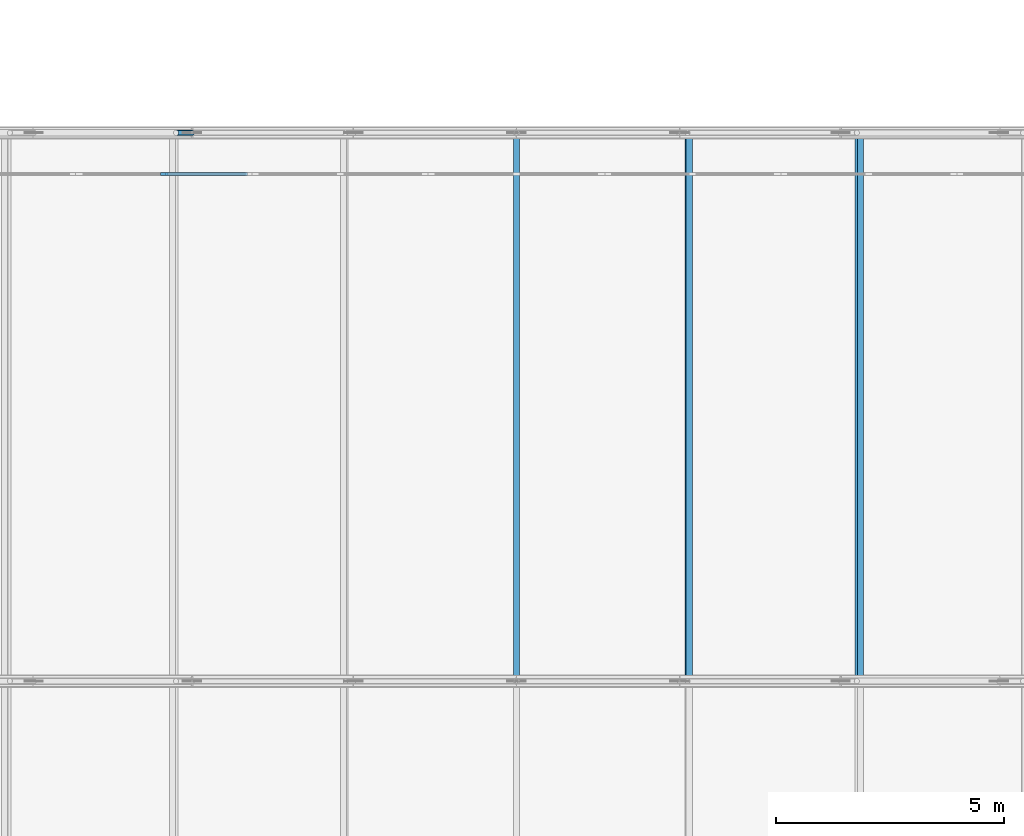
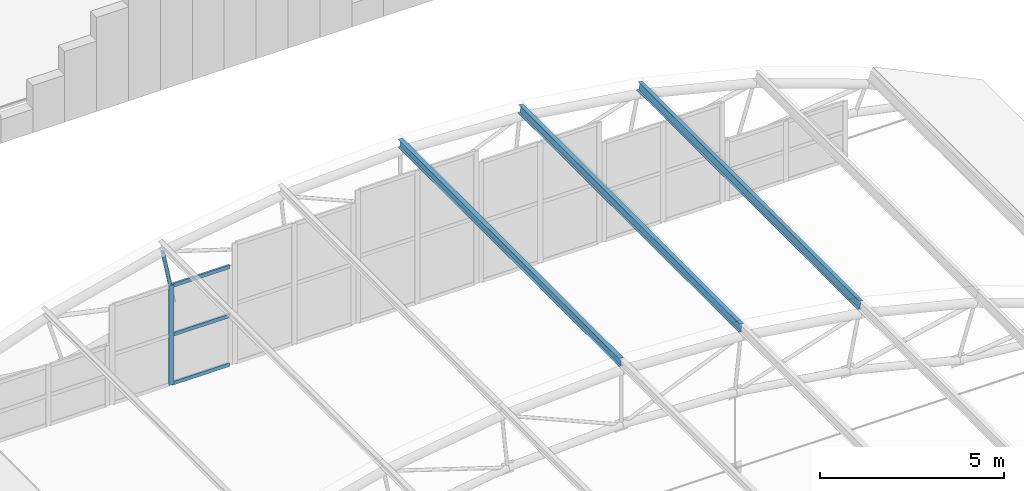
# One storey, part 222 of 321: 8 members, 1 element without a shape of its own.
"""IFC4 building model written with IfcOpenShell, lengths in metres."""

from ifc_helpers import new_model, si_unit, direction, frame, origin, origin_2d, place, context, subcontext, project, spatial, rectangle, hollow_circle, i_section, extrude, material, layer, layer_set, material_profile, profile_set, type_object, element, aggregate, save


model = new_model("IFC4")

# Units and contexts
model_context = context("Model", 3, precision=1e-05, world=origin(), true_north=direction((0.0, 1.0)))
body_context = subcontext(model_context, "Body", "Model", "MODEL_VIEW")
ifc_project = project(units=[si_unit("LENGTHUNIT", "METRE"), si_unit("AREAUNIT", "SQUARE_METRE"), si_unit("VOLUMEUNIT", "CUBIC_METRE"), si_unit("PLANEANGLEUNIT", "RADIAN"), si_unit("MASSUNIT", "GRAM", prefix="KILO")], contexts=[model_context])

# Site, building, storey
site_placement = place(None, origin())
site = spatial("IfcSite", under=ifc_project, at=site_placement, CompositionType="ELEMENT")
building_placement = place(site_placement, origin())
building = spatial("IfcBuilding", under=site, at=building_placement, Name="Ravi Spectrum Wholesale Market", CompositionType="ELEMENT")
storey_placement = place(building_placement, frame((0.0, 0.0, 10.800048828125)))
storey = spatial("IfcBuildingStorey", under=building, at=storey_placement, Name="L02", CompositionType="ELEMENT", Elevation=10.800048828125)

# Members
ifc_material_1 = material(Name="Steel S355", Category="steel")
ifc_material_profile_1 = material_profile(ifc_material_1, hollow_circle(Radius=0.05712890625, WallThickness=0.00390625, at=origin_2d()))
ifc_profile_set_1 = profile_set([ifc_material_profile_1], Name="Steel S355")
member_type_1 = type_object("IfcMemberType", Name="CHS 114.3x4 post", PredefinedType="POST", material=ifc_profile_set_1)
member_1_placement = place(storey_placement, frame((172.551513671875, 186.0, 3.767822265625), z_axis=(0.194759682352, 0.0, -0.980850990788), x_axis=(0.0, 1.0, 0.0)))
element("IfcMember", 1, at=member_1_placement, inside=storey, type_object=member_type_1, Name="H3-MB-L02-183", PredefinedType="POST", context=body_context, shape_type="SweptSolid", body=[
    extrude(hollow_circle(Radius=0.05712890625, WallThickness=0.00390625, at=origin_2d()), origin(), (0.0, 0.0, 1.0), 1.800048828125),
])
ifc_material_2 = material(Name="Steel S355", Category="steel")
ifc_material_profile_2 = material_profile(ifc_material_2, i_section(OverallWidth=0.135009765625, OverallDepth=0.27001953125, WebThickness=0.006591796875, FlangeThickness=0.01025390625, at=origin_2d()))
ifc_profile_set_2 = profile_set([ifc_material_profile_2], Name="Steel S355")
member_type_2 = type_object("IfcMemberType", Name="IPE 270 purlin", PredefinedType="PURLIN", material=ifc_profile_set_2)
for number, where, z_axis, x_axis, name in (
    (2, (180.0, 174.0, 4.771484375), (0.0, 1.0, 0.0), (-1.0, 0.0, 0.0), "H3-MB-L02-239"),
    (3, (183.768798828125, 174.0, 4.586669921875), (0.0, 1.0, 0.0), (-0.995202677663, 0.0, 0.097834709449), "H3-MB-L02-240"),
    (4, (187.501220703125, 174.0, 4.033935546875), (0.0, 1.0, 0.0), (-0.980856735855, 0.0, 0.194730746744), "H3-MB-L02-241"),
):
    element("IfcMember", number, at=place(storey_placement, frame(where, z_axis=z_axis, x_axis=x_axis)), inside=storey, type_object=member_type_2, Name=name, PredefinedType="PURLIN", context=body_context, shape_type="SweptSolid", body=[
        extrude(i_section(OverallWidth=0.135009765625, OverallDepth=0.27001953125, WebThickness=0.006591796875, FlangeThickness=0.01025390625, at=origin_2d()), origin(), (0.0, 0.0, 1.0), 12.0),
    ])

# Curtain wall, members
ifc_material_3 = material(Name="Aluminium 6063-T6", Category="aluminium")
ifc_layer = layer(ifc_material_3, 0.14990234375)
ifc_layer_set = layer_set([ifc_layer], Name="Aluminium 6063-T6")
curtain_wall_type = type_object("IfcCurtainWallType", Name="Curtain wall 150", PredefinedType="NOTDEFINED", material=ifc_layer_set)
curtain_wall_placement = place(storey_placement, origin())
curtain_wall = element("IfcCurtainWall", 5, at=curtain_wall_placement, inside=storey, type_object=curtain_wall_type, Name="H3-CW-L02-009", PredefinedType="NOTDEFINED")
ifc_material_4 = material(Name="Aluminium 6063-T6", Category="aluminium")
ifc_material_profile_3 = material_profile(ifc_material_4, rectangle(XDim=0.06005859375, YDim=0.159912109375, at=origin_2d()))
ifc_profile_set_3 = profile_set([ifc_material_profile_3], Name="Aluminium 6063-T6")
member_type_3 = type_object("IfcMemberType", Name="Mullion 60 x 160", PredefinedType="MULLION", material=ifc_profile_set_3)
member_2_placement = place(storey_placement, frame((172.292236328125, 185.10009765625, 0.0), z_axis=(0.0, 0.0, 1.0), x_axis=(0.0, 1.0, 0.0)))
member_2 = element("IfcMember", 6, at=member_2_placement, type_object=member_type_3, Name="H3-CW-L02-009 mullion 2", PredefinedType="MULLION", context=body_context, shape_type="SweptSolid", body=[
    extrude(rectangle(XDim=0.06005859375, YDim=0.159912109375, at=origin_2d()), origin(), (0.0, 0.0, 1.0), 3.300048828125),
])
ifc_material_5 = material(Name="Aluminium 6063-T6", Category="aluminium")
ifc_material_profile_4 = material_profile(ifc_material_5, rectangle(XDim=0.06005859375, YDim=0.1201171875, at=origin_2d()))
ifc_profile_set_4 = profile_set([ifc_material_profile_4], Name="Aluminium 6063-T6")
member_type_4 = type_object("IfcMemberType", Name="Transom 60 x 120", PredefinedType="USERDEFINED", material=ifc_profile_set_4)
member_3_placement = place(storey_placement, frame((172.322265625, 185.10009765625, 0.030029296875), z_axis=(1.0, 0.0, 0.0), x_axis=(0.0, 1.0, 0.0)))
member_3 = element("IfcMember", 7, at=member_3_placement, type_object=member_type_4, Name="H3-CW-L02-009 transom 2.1", ObjectType="TRANSOM", PredefinedType="USERDEFINED", context=body_context, shape_type="SweptSolid", body=[
    extrude(rectangle(XDim=0.06005859375, YDim=0.1201171875, at=origin_2d()), origin(), (0.0, 0.0, 1.0), 1.797119140625),
])
member_4_placement = place(storey_placement, frame((172.322265625, 185.10009765625, 1.64990234375), z_axis=(1.0, 0.0, 0.0), x_axis=(0.0, 1.0, 0.0)))
member_4 = element("IfcMember", 8, at=member_4_placement, type_object=member_type_4, Name="H3-CW-L02-009 transom 2.2", ObjectType="TRANSOM", PredefinedType="USERDEFINED", context=body_context, shape_type="SweptSolid", body=[
    extrude(rectangle(XDim=0.06005859375, YDim=0.1201171875, at=origin_2d()), origin(), (0.0, 0.0, 1.0), 1.797119140625),
])
member_5_placement = place(storey_placement, frame((172.322265625, 185.10009765625, 3.27001953125), z_axis=(1.0, 0.0, 0.0), x_axis=(0.0, 1.0, 0.0)))
member_5 = element("IfcMember", 9, at=member_5_placement, type_object=member_type_4, Name="H3-CW-L02-009 transom 2.3", ObjectType="TRANSOM", PredefinedType="USERDEFINED", context=body_context, shape_type="SweptSolid", body=[
    extrude(rectangle(XDim=0.06005859375, YDim=0.1201171875, at=origin_2d()), origin(), (0.0, 0.0, 1.0), 1.797119140625),
])
aggregate(curtain_wall, [member_2, member_3, member_4, member_5])

save(model, "model.ifc")
